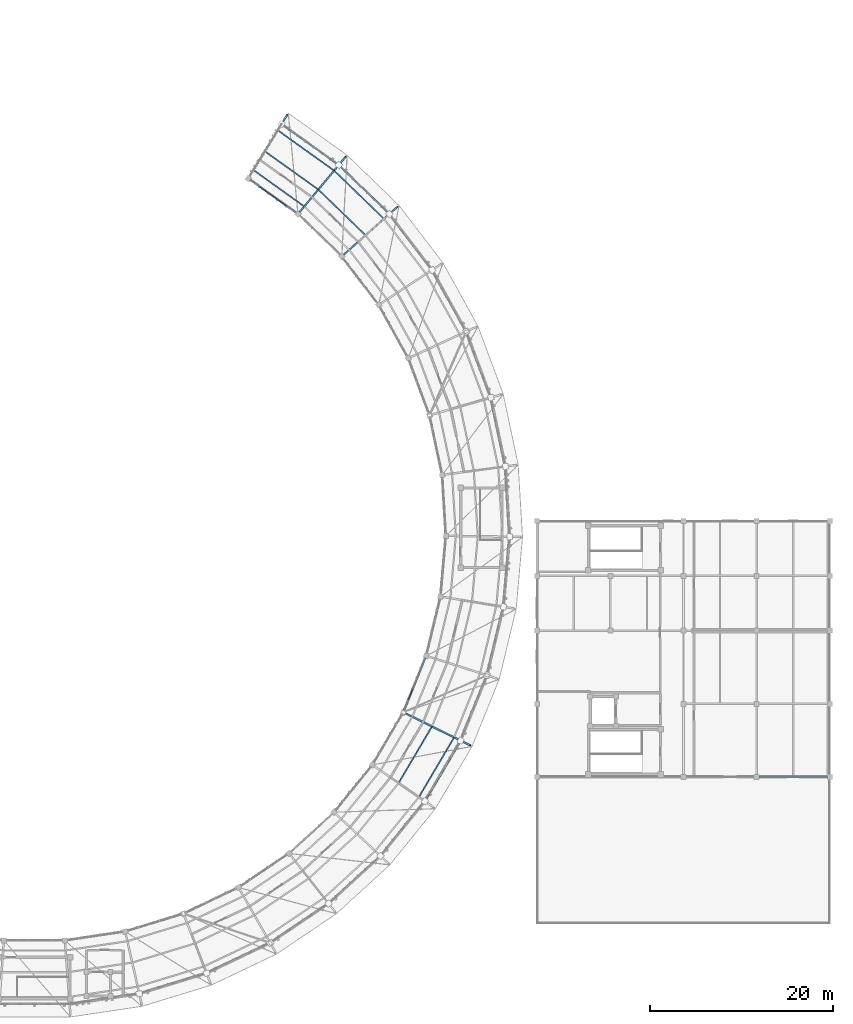
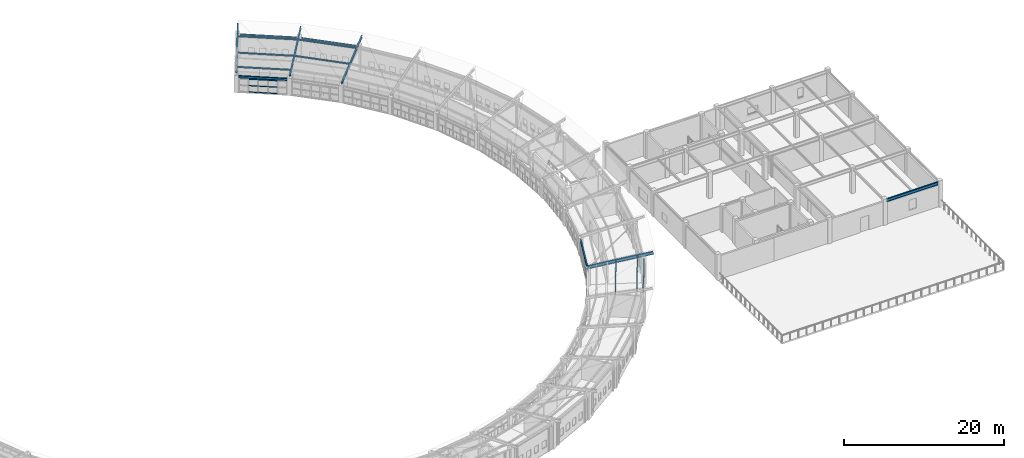
# One storey, part 86 of 149: 23 members, 6 beams, 2 elements without a shape of their own.
"""IFC4 building model written with IfcOpenShell, lengths in metres."""

from ifc_helpers import new_model, si_unit, direction, frame, origin, origin_2d, place, context, subcontext, project, spatial, hollow_rectangle, i_section, extrude, material, material_profile, profile_set, type_object, element, aggregate, save


model = new_model("IFC4")

# Units and contexts
model_context = context("Model", 3, precision=1e-05, world=origin(), true_north=direction((0.0, 1.0)))
body_context = subcontext(model_context, "Body", "Model", "MODEL_VIEW")
ifc_project = project(units=[si_unit("LENGTHUNIT", "METRE"), si_unit("AREAUNIT", "SQUARE_METRE"), si_unit("VOLUMEUNIT", "CUBIC_METRE"), si_unit("PLANEANGLEUNIT", "RADIAN"), si_unit("MASSUNIT", "GRAM", prefix="KILO")], contexts=[model_context])

# Site, building, storey
site_placement = place(None, origin())
site = spatial("IfcSite", under=ifc_project, at=site_placement, CompositionType="ELEMENT")
building_placement = place(site_placement, origin())
building = spatial("IfcBuilding", under=site, at=building_placement, Name="Celadon Cloister-Ring School", CompositionType="ELEMENT")
storey_placement = place(building_placement, frame((0.0, 0.0, 12.5)))
storey = spatial("IfcBuildingStorey", under=building, at=storey_placement, Name="L03", CompositionType="ELEMENT", Elevation=12.5)

# Curtain wall, members
ifc_material_1 = material(Name="Aluminium EN AW-6063 T6", Category="aluminium")
curtain_wall_type = type_object("IfcCurtainWallType", Name="CW-02", PredefinedType="USERDEFINED", material=ifc_material_1)
curtain_wall_1_placement = place(storey_placement, origin())
curtain_wall_1 = element("IfcCurtainWall", 1, at=curtain_wall_1_placement, inside=storey, type_object=curtain_wall_type, Name="Curtain Wall 0069", ObjectType="CURTAIN WALL", PredefinedType="USERDEFINED")
ifc_material_2 = material(Name="Aluminium EN AW-6063 T6", Category="aluminium")
ifc_material_profile_1 = material_profile(ifc_material_2, hollow_rectangle(XDim=0.074951171875, YDim=0.074951171875, WallThickness=0.00390625, at=origin_2d()), Name="RHS75X75X4")
ifc_profile_set_1 = profile_set([ifc_material_profile_1], Name="Aluminium EN AW-6063 T6")
member_type_1 = type_object("IfcMemberType", Name="CTM-03", PredefinedType="USERDEFINED", material=ifc_profile_set_1)
member_1_placement = place(storey_placement, frame((127.92724609375, 40.50390625, 0.03759765625), z_axis=(0.375000300919, 0.927024689159, 0.0), x_axis=(-0.927024689159, 0.375000300919, 0.0)))
member_1 = element("IfcMember", 2, at=member_1_placement, type_object=member_type_1, Name="CW-02 transom 2.1", ObjectType="TRANSOM", PredefinedType="USERDEFINED", context=body_context, shape_type="SweptSolid", body=[
    extrude(hollow_rectangle(XDim=0.074951171875, YDim=0.074951171875, WallThickness=0.00390625, at=origin_2d()), origin(), (0.0, 0.0, 1.0), 1.141845703125),
])
member_2_placement = place(storey_placement, frame((127.92724609375, 40.50390625, 1.010009765625), z_axis=(0.375000300919, 0.927024689159, 0.0), x_axis=(-0.927024689159, 0.375000300919, 0.0)))
member_2 = element("IfcMember", 3, at=member_2_placement, type_object=member_type_1, Name="CW-02 transom 2.2", ObjectType="TRANSOM", PredefinedType="USERDEFINED", context=body_context, shape_type="SweptSolid", body=[
    extrude(hollow_rectangle(XDim=0.074951171875, YDim=0.074951171875, WallThickness=0.00390625, at=origin_2d()), origin(), (0.0, 0.0, 1.0), 1.141845703125),
])
member_3_placement = place(storey_placement, frame((127.92724609375, 40.50390625, 1.982421875), z_axis=(0.375000300919, 0.927024689159, 0.0), x_axis=(-0.927024689159, 0.375000300919, 0.0)))
member_3 = element("IfcMember", 4, at=member_3_placement, type_object=member_type_1, Name="CW-02 transom 2.3", ObjectType="TRANSOM", PredefinedType="USERDEFINED", context=body_context, shape_type="SweptSolid", body=[
    extrude(hollow_rectangle(XDim=0.074951171875, YDim=0.074951171875, WallThickness=0.00390625, at=origin_2d()), origin(), (0.0, 0.0, 1.0), 1.141845703125),
])
aggregate(curtain_wall_1, [member_1, member_2, member_3])

curtain_wall_2_placement = place(storey_placement, origin())
curtain_wall_2 = element("IfcCurtainWall", 5, at=curtain_wall_2_placement, inside=storey, type_object=curtain_wall_type, Name="Curtain Wall 0078", ObjectType="CURTAIN WALL", PredefinedType="USERDEFINED")
member_4_placement = place(storey_placement, frame((114.561767578125, 94.4609375, 0.03759765625), z_axis=(-0.813444398719, 0.581642682575, 0.0), x_axis=(-0.581642682575, -0.813444398719, 0.0)))
member_4 = element("IfcMember", 6, at=member_4_placement, type_object=member_type_1, Name="CW-02 transom 2.1", ObjectType="TRANSOM", PredefinedType="USERDEFINED", context=body_context, shape_type="SweptSolid", body=[
    extrude(hollow_rectangle(XDim=0.074951171875, YDim=0.074951171875, WallThickness=0.00390625, at=origin_2d()), origin(), (0.0, 0.0, 1.0), 1.1416015625),
])
member_5_placement = place(storey_placement, frame((114.561767578125, 94.4609375, 1.010009765625), z_axis=(-0.813444398719, 0.581642682575, 0.0), x_axis=(-0.581642682575, -0.813444398719, 0.0)))
member_5 = element("IfcMember", 7, at=member_5_placement, type_object=member_type_1, Name="CW-02 transom 2.2", ObjectType="TRANSOM", PredefinedType="USERDEFINED", context=body_context, shape_type="SweptSolid", body=[
    extrude(hollow_rectangle(XDim=0.074951171875, YDim=0.074951171875, WallThickness=0.00390625, at=origin_2d()), origin(), (0.0, 0.0, 1.0), 1.1416015625),
])
member_6_placement = place(storey_placement, frame((114.561767578125, 94.4609375, 1.982421875), z_axis=(-0.813444398719, 0.581642682575, 0.0), x_axis=(-0.581642682575, -0.813444398719, 0.0)))
member_6 = element("IfcMember", 8, at=member_6_placement, type_object=member_type_1, Name="CW-02 transom 2.3", ObjectType="TRANSOM", PredefinedType="USERDEFINED", context=body_context, shape_type="SweptSolid", body=[
    extrude(hollow_rectangle(XDim=0.074951171875, YDim=0.074951171875, WallThickness=0.00390625, at=origin_2d()), origin(), (0.0, 0.0, 1.0), 1.1416015625),
])
member_7_placement = place(storey_placement, frame((113.56787109375, 95.17138671875, 0.03759765625), z_axis=(-0.813444398719, 0.581642682575, 0.0), x_axis=(-0.581642682575, -0.813444398719, 0.0)))
member_7 = element("IfcMember", 9, at=member_7_placement, type_object=member_type_1, Name="CW-02 transom 3.1", ObjectType="TRANSOM", PredefinedType="USERDEFINED", context=body_context, shape_type="SweptSolid", body=[
    extrude(hollow_rectangle(XDim=0.074951171875, YDim=0.074951171875, WallThickness=0.00390625, at=origin_2d()), origin(), (0.0, 0.0, 1.0), 1.1416015625),
])
member_8_placement = place(storey_placement, frame((113.56787109375, 95.17138671875, 1.010009765625), z_axis=(-0.813444398719, 0.581642682575, 0.0), x_axis=(-0.581642682575, -0.813444398719, 0.0)))
member_8 = element("IfcMember", 10, at=member_8_placement, type_object=member_type_1, Name="CW-02 transom 3.2", ObjectType="TRANSOM", PredefinedType="USERDEFINED", context=body_context, shape_type="SweptSolid", body=[
    extrude(hollow_rectangle(XDim=0.074951171875, YDim=0.074951171875, WallThickness=0.00390625, at=origin_2d()), origin(), (0.0, 0.0, 1.0), 1.1416015625),
])
member_9_placement = place(storey_placement, frame((113.56787109375, 95.17138671875, 1.982421875), z_axis=(-0.813444398719, 0.581642682575, 0.0), x_axis=(-0.581642682575, -0.813444398719, 0.0)))
member_9 = element("IfcMember", 11, at=member_9_placement, type_object=member_type_1, Name="CW-02 transom 3.3", ObjectType="TRANSOM", PredefinedType="USERDEFINED", context=body_context, shape_type="SweptSolid", body=[
    extrude(hollow_rectangle(XDim=0.074951171875, YDim=0.074951171875, WallThickness=0.00390625, at=origin_2d()), origin(), (0.0, 0.0, 1.0), 1.1416015625),
])
member_10_placement = place(storey_placement, frame((112.573974609375, 95.882080078125, 0.03759765625), z_axis=(-0.813444398719, 0.581642682575, 0.0), x_axis=(-0.581642682575, -0.813444398719, 0.0)))
member_10 = element("IfcMember", 12, at=member_10_placement, type_object=member_type_1, Name="CW-02 transom 4.1", ObjectType="TRANSOM", PredefinedType="USERDEFINED", context=body_context, shape_type="SweptSolid", body=[
    extrude(hollow_rectangle(XDim=0.074951171875, YDim=0.074951171875, WallThickness=0.00390625, at=origin_2d()), origin(), (0.0, 0.0, 1.0), 1.1416015625),
])
member_11_placement = place(storey_placement, frame((112.573974609375, 95.882080078125, 1.010009765625), z_axis=(-0.813444398719, 0.581642682575, 0.0), x_axis=(-0.581642682575, -0.813444398719, 0.0)))
member_11 = element("IfcMember", 13, at=member_11_placement, type_object=member_type_1, Name="CW-02 transom 4.2", ObjectType="TRANSOM", PredefinedType="USERDEFINED", context=body_context, shape_type="SweptSolid", body=[
    extrude(hollow_rectangle(XDim=0.074951171875, YDim=0.074951171875, WallThickness=0.00390625, at=origin_2d()), origin(), (0.0, 0.0, 1.0), 1.1416015625),
])
member_12_placement = place(storey_placement, frame((112.573974609375, 95.882080078125, 1.982421875), z_axis=(-0.813444398719, 0.581642682575, 0.0), x_axis=(-0.581642682575, -0.813444398719, 0.0)))
member_12 = element("IfcMember", 14, at=member_12_placement, type_object=member_type_1, Name="CW-02 transom 4.3", ObjectType="TRANSOM", PredefinedType="USERDEFINED", context=body_context, shape_type="SweptSolid", body=[
    extrude(hollow_rectangle(XDim=0.074951171875, YDim=0.074951171875, WallThickness=0.00390625, at=origin_2d()), origin(), (0.0, 0.0, 1.0), 1.1416015625),
])
aggregate(curtain_wall_2, [member_4, member_5, member_6, member_7, member_8, member_9, member_10, member_11, member_12])

# Beams
ifc_material_3 = material(Name="Structural steel S355JR", Category="steel")
ifc_material_profile_2 = material_profile(ifc_material_3, i_section(OverallWidth=0.19189453125, OverallDepth=0.462890625, WebThickness=0.010498046875, FlangeThickness=0.017578125, at=origin_2d()), Name="W460X89")
ifc_profile_set_2 = profile_set([ifc_material_profile_2], Name="Structural steel S355JR")
beam_type_1 = type_object("IfcBeamType", Name="GT-07", PredefinedType="USERDEFINED", material=ifc_profile_set_2)
beam_1_placement = place(storey_placement, frame((166.25, 32.0, 3.529052734375), z_axis=(1.0, 0.0, 0.0), x_axis=(0.0, 1.0, 0.0)))
element("IfcBeam", 15, at=beam_1_placement, inside=storey, type_object=beam_type_1, Name="Beam 1439", ObjectType="GIRDER", PredefinedType="USERDEFINED", context=body_context, shape_type="SweptSolid", body=[
    extrude(i_section(OverallWidth=0.19189453125, OverallDepth=0.462890625, WebThickness=0.010498046875, FlangeThickness=0.017578125, at=origin_2d()), origin(), (0.0, 0.0, 1.0), 7.5),
])
ifc_material_4 = material(Name="Structural steel S355JR", Category="steel")
ifc_material_profile_3 = material_profile(ifc_material_4, i_section(OverallWidth=0.1708984375, OverallDepth=0.35498046875, WebThickness=0.007080078125, FlangeThickness=0.01171875, at=origin_2d()), Name="W360X51")
ifc_profile_set_3 = profile_set([ifc_material_profile_3], Name="Structural steel S355JR")
beam_type_2 = type_object("IfcBeamType", Name="GT-08", PredefinedType="USERDEFINED", material=ifc_profile_set_3)
beam_2_placement = place(storey_placement, frame((127.443115234375, 39.30810546875, 2.27197265625), z_axis=(0.375114995273, 0.926978284709, 0.0), x_axis=(-0.926978284709, 0.375114995273, 0.0)))
element("IfcBeam", 16, at=beam_2_placement, inside=storey, type_object=beam_type_2, Name="Beam 0572", ObjectType="GIRDER", PredefinedType="USERDEFINED", context=body_context, shape_type="SweptSolid", body=[
    extrude(i_section(OverallWidth=0.1708984375, OverallDepth=0.35498046875, WebThickness=0.007080078125, FlangeThickness=0.01171875, at=origin_2d()), origin(), (0.0, 0.0, 1.0), 6.166015625),
])
beam_3_placement = place(storey_placement, frame((115.612060546875, 93.7099609375, 2.27197265625), z_axis=(-0.813463245268, 0.58161632422, 0.0), x_axis=(-0.58161632422, -0.813463245268, 0.0)))
element("IfcBeam", 17, at=beam_3_placement, inside=storey, type_object=beam_type_2, Name="Beam 0590", ObjectType="GIRDER", PredefinedType="USERDEFINED", context=body_context, shape_type="SweptSolid", body=[
    extrude(i_section(OverallWidth=0.1708984375, OverallDepth=0.35498046875, WebThickness=0.007080078125, FlangeThickness=0.01171875, at=origin_2d()), origin(), (0.0, 0.0, 1.0), 6.16748046875),
])

# Members
ifc_material_5 = material(Name="Structural steel S355JR", Category="steel")
ifc_material_profile_4 = material_profile(ifc_material_5, i_section(OverallWidth=0.133056640625, OverallDepth=0.20703125, WebThickness=0.005859375, FlangeThickness=0.00830078125, at=origin_2d()), Name="W200X27")
ifc_profile_set_4 = profile_set([ifc_material_profile_4], Name="Structural steel S355JR")
member_type_2 = type_object("IfcMemberType", Name="MP-04", PredefinedType="PURLIN", material=ifc_profile_set_4)
member_13_placement = place(storey_placement, frame((126.8369140625, 31.3369140625, 3.4599609375), z_axis=(0.508010230001, 0.861351035417, 0.0), x_axis=(-0.861351035417, 0.508010230001, 0.0)))
element("IfcMember", 18, at=member_13_placement, inside=storey, type_object=member_type_2, Name="Structural Member 0201", PredefinedType="PURLIN", context=body_context, shape_type="SweptSolid", body=[
    extrude(i_section(OverallWidth=0.133056640625, OverallDepth=0.20703125, WebThickness=0.005859375, FlangeThickness=0.00830078125, at=origin_2d()), origin(), (0.0, 0.0, 1.0), 7.185302734375),
])
member_14_placement = place(storey_placement, frame((129.054931640625, 29.797119140625, 4.073974609375), z_axis=(0.507953791688, 0.861384319285, 0.0), x_axis=(-0.861384319285, 0.507953791688, 0.0)))
element("IfcMember", 19, at=member_14_placement, inside=storey, type_object=member_type_2, Name="Structural Member 0202", PredefinedType="PURLIN", context=body_context, shape_type="SweptSolid", body=[
    extrude(i_section(OverallWidth=0.133056640625, OverallDepth=0.20703125, WebThickness=0.005859375, FlangeThickness=0.00830078125, at=origin_2d()), origin(), (0.0, 0.0, 1.0), 7.58544921875),
])
member_15_placement = place(storey_placement, frame((123.218994140625, 91.256103515625, 3.4599609375), z_axis=(-0.718581874737, 0.695442369503, 0.0), x_axis=(-0.695442369503, -0.718581874737, 0.0)))
element("IfcMember", 20, at=member_15_placement, inside=storey, type_object=member_type_2, Name="Structural Member 0248", PredefinedType="PURLIN", context=body_context, shape_type="SweptSolid", body=[
    extrude(i_section(OverallWidth=0.133056640625, OverallDepth=0.20703125, WebThickness=0.005859375, FlangeThickness=0.00830078125, at=origin_2d()), origin(), (0.0, 0.0, 1.0), 7.18505859375),
])
member_16_placement = place(storey_placement, frame((125.235107421875, 93.052001953125, 4.073974609375), z_axis=(-0.71856789452, 0.695456814594, 0.0), x_axis=(-0.695456814594, -0.71856789452, 0.0)))
element("IfcMember", 21, at=member_16_placement, inside=storey, type_object=member_type_2, Name="Structural Member 0249", PredefinedType="PURLIN", context=body_context, shape_type="SweptSolid", body=[
    extrude(i_section(OverallWidth=0.133056640625, OverallDepth=0.20703125, WebThickness=0.005859375, FlangeThickness=0.00830078125, at=origin_2d()), origin(), (0.0, 0.0, 1.0), 7.584716796875),
])
member_17_placement = place(storey_placement, frame((116.51904296875, 94.409912109375, 2.970947265625), z_axis=(-0.813431414509, 0.581660840946, 0.0), x_axis=(-0.581660840946, -0.813431414509, 0.0)))
element("IfcMember", 22, at=member_17_placement, inside=storey, type_object=member_type_2, Name="Structural Member 0252", PredefinedType="PURLIN", context=body_context, shape_type="SweptSolid", body=[
    extrude(i_section(OverallWidth=0.133056640625, OverallDepth=0.20703125, WebThickness=0.005859375, FlangeThickness=0.00830078125, at=origin_2d()), origin(), (0.0, 0.0, 1.0), 6.8291015625),
])
member_18_placement = place(storey_placement, frame((118.055908203125, 96.2529296875, 3.4599609375), z_axis=(-0.813471664874, 0.581604548166, 0.0), x_axis=(-0.581604548166, -0.813471664874, 0.0)))
element("IfcMember", 23, at=member_18_placement, inside=storey, type_object=member_type_2, Name="Structural Member 0253", PredefinedType="PURLIN", context=body_context, shape_type="SweptSolid", body=[
    extrude(i_section(OverallWidth=0.133056640625, OverallDepth=0.20703125, WebThickness=0.005859375, FlangeThickness=0.00830078125, at=origin_2d()), origin(), (0.0, 0.0, 1.0), 7.185302734375),
])
member_19_placement = place(storey_placement, frame((119.784912109375, 98.326904296875, 4.073974609375), z_axis=(-0.813420186009, 0.581676543272, 0.0), x_axis=(-0.581676543272, -0.813420186009, 0.0)))
element("IfcMember", 24, at=member_19_placement, inside=storey, type_object=member_type_2, Name="Structural Member 0254", PredefinedType="PURLIN", context=body_context, shape_type="SweptSolid", body=[
    extrude(i_section(OverallWidth=0.133056640625, OverallDepth=0.20703125, WebThickness=0.005859375, FlangeThickness=0.00830078125, at=origin_2d()), origin(), (0.0, 0.0, 1.0), 7.585205078125),
])
ifc_material_6 = material(Name="Structural steel S355JR", Category="steel")
ifc_material_profile_5 = material_profile(ifc_material_6, i_section(OverallWidth=0.18994140625, OverallDepth=0.45703125, WebThickness=0.009033203125, FlangeThickness=0.014404296875, at=origin_2d()), Name="W460X74")
ifc_profile_set_5 = profile_set([ifc_material_profile_5], Name="Structural steel S355JR")
member_type_3 = type_object("IfcMemberType", Name="MR-03", PredefinedType="RAFTER", material=ifc_profile_set_5)
member_20_placement = place(storey_placement, frame((127.34912109375, 39.075927734375, 2.674072265625), z_axis=(0.874514151849, -0.431898995992, 0.220654153547), x_axis=(0.442813410862, 0.896613787068, 0.0)))
element("IfcMember", 25, at=member_20_placement, inside=storey, type_object=member_type_3, Name="Structural Member 0052", PredefinedType="RAFTER", context=body_context, shape_type="SweptSolid", body=[
    extrude(i_section(OverallWidth=0.18994140625, OverallDepth=0.45703125, WebThickness=0.009033203125, FlangeThickness=0.014404296875, at=origin_2d()), origin(), (0.0, 0.0, 1.0), 8.40673828125),
])
member_21_placement = place(storey_placement, frame((110.39208984375, 97.44189453125, 2.674072265625), z_axis=(0.506907034366, 0.833288146027, 0.220626662491), x_axis=(-0.854340521519, 0.519713645473, 0.0)))
element("IfcMember", 26, at=member_21_placement, inside=storey, type_object=member_type_3, Name="Structural Member 0072", PredefinedType="RAFTER", context=body_context, shape_type="SweptSolid", body=[
    extrude(i_section(OverallWidth=0.18994140625, OverallDepth=0.45703125, WebThickness=0.009033203125, FlangeThickness=0.014404296875, at=origin_2d()), origin(), (0.0, 0.0, 1.0), 8.40771484375),
])
ifc_material_7 = material(Name="Structural steel S355JR", Category="steel")
ifc_material_profile_6 = material_profile(ifc_material_7, i_section(OverallWidth=0.1708984375, OverallDepth=0.35498046875, WebThickness=0.007080078125, FlangeThickness=0.01171875, at=origin_2d()), Name="W360X51")
ifc_profile_set_6 = profile_set([ifc_material_profile_6], Name="Structural steel S355JR")
member_type_4 = type_object("IfcMemberType", Name="MR-05", PredefinedType="RAFTER", material=ifc_profile_set_6)
member_22_placement = place(storey_placement, frame((120.60498046875, 88.927978515625, 2.72607421875), z_axis=(0.728370256702, 0.64869205608, 0.220624988456), x_axis=(-0.665080497039, 0.746771673578, 0.0)))
element("IfcMember", 27, at=member_22_placement, inside=storey, type_object=member_type_4, Name="Structural Member 0068", PredefinedType="RAFTER", context=body_context, shape_type="SweptSolid", body=[
    extrude(i_section(OverallWidth=0.1708984375, OverallDepth=0.35498046875, WebThickness=0.007080078125, FlangeThickness=0.01171875, at=origin_2d()), origin(), (0.0, 0.0, 1.0), 8.407958984375),
])
member_23_placement = place(storey_placement, frame((115.81494140625, 93.56494140625, 2.72607421875), z_axis=(0.624515771903, 0.749192399915, 0.220659916058), x_axis=(-0.7681260862, 0.640298614476, 0.0)))
element("IfcMember", 28, at=member_23_placement, inside=storey, type_object=member_type_4, Name="Structural Member 0070", PredefinedType="RAFTER", context=body_context, shape_type="SweptSolid", body=[
    extrude(i_section(OverallWidth=0.1708984375, OverallDepth=0.35498046875, WebThickness=0.007080078125, FlangeThickness=0.01171875, at=origin_2d()), origin(), (0.0, 0.0, 1.0), 8.406494140625),
])

# Beams
ifc_material_8 = material(Name="Structural steel S355JR", Category="steel")
ifc_material_profile_7 = material_profile(ifc_material_8, i_section(OverallWidth=0.1708984375, OverallDepth=0.35498046875, WebThickness=0.007080078125, FlangeThickness=0.01171875, at=origin_2d()), Name="W360X51")
ifc_profile_set_7 = profile_set([ifc_material_profile_7], Name="Structural steel S355JR")
beam_type_3 = type_object("IfcBeamType", Name="SP-04", PredefinedType="SPANDREL", material=ifc_profile_set_7)
beam_4_placement = place(storey_placement, frame((129.85205078125, 29.577880859375, 3.722900390625), z_axis=(0.507880480168, 0.861427546498, 0.0), x_axis=(-0.861427546498, 0.507880480168, 0.0)))
element("IfcBeam", 29, at=beam_4_placement, inside=storey, type_object=beam_type_3, Name="Beam 0569", PredefinedType="SPANDREL", context=body_context, shape_type="SweptSolid", body=[
    extrude(i_section(OverallWidth=0.1708984375, OverallDepth=0.35498046875, WebThickness=0.007080078125, FlangeThickness=0.01171875, at=origin_2d()), origin(), (0.0, 0.0, 1.0), 7.1533203125),
])
beam_5_placement = place(storey_placement, frame((125.634033203125, 93.77490234375, 3.722900390625), z_axis=(-0.718465669268, 0.695562421414, 0.0), x_axis=(-0.695562421414, -0.718465669268, 0.0)))
element("IfcBeam", 30, at=beam_5_placement, inside=storey, type_object=beam_type_3, Name="Beam 0587", PredefinedType="SPANDREL", context=body_context, shape_type="SweptSolid", body=[
    extrude(i_section(OverallWidth=0.1708984375, OverallDepth=0.35498046875, WebThickness=0.007080078125, FlangeThickness=0.01171875, at=origin_2d()), origin(), (0.0, 0.0, 1.0), 7.152587890625),
])
beam_6_placement = place(storey_placement, frame((120.072998046875, 99.10107421875, 3.722900390625), z_axis=(-0.813396628372, 0.581709485013, 0.0), x_axis=(-0.581709485013, -0.813396628372, 0.0)))
element("IfcBeam", 31, at=beam_6_placement, inside=storey, type_object=beam_type_3, Name="Beam 0589", PredefinedType="SPANDREL", context=body_context, shape_type="SweptSolid", body=[
    extrude(i_section(OverallWidth=0.1708984375, OverallDepth=0.35498046875, WebThickness=0.007080078125, FlangeThickness=0.01171875, at=origin_2d()), origin(), (0.0, 0.0, 1.0), 7.15283203125),
])

save(model, "model.ifc")
